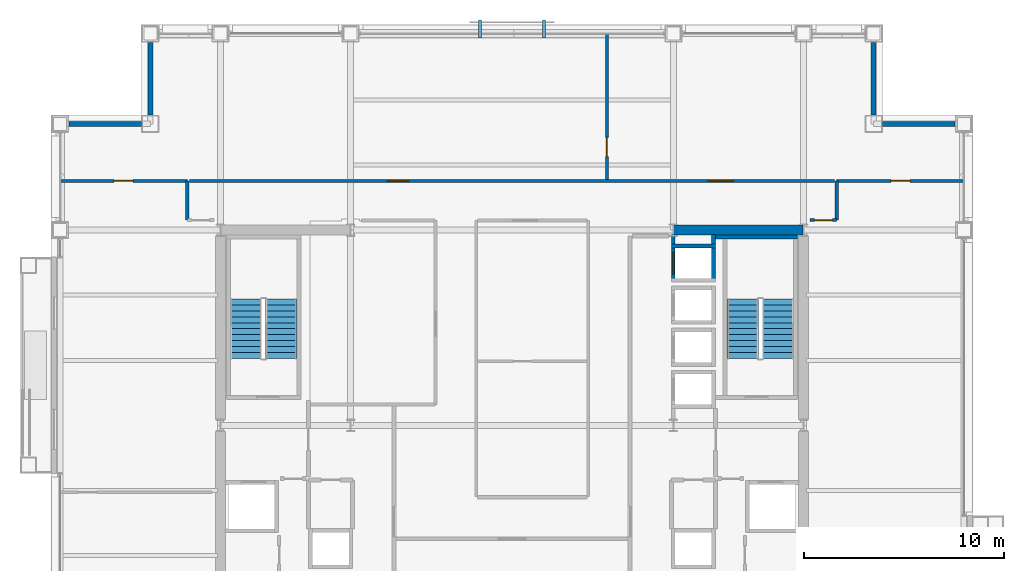
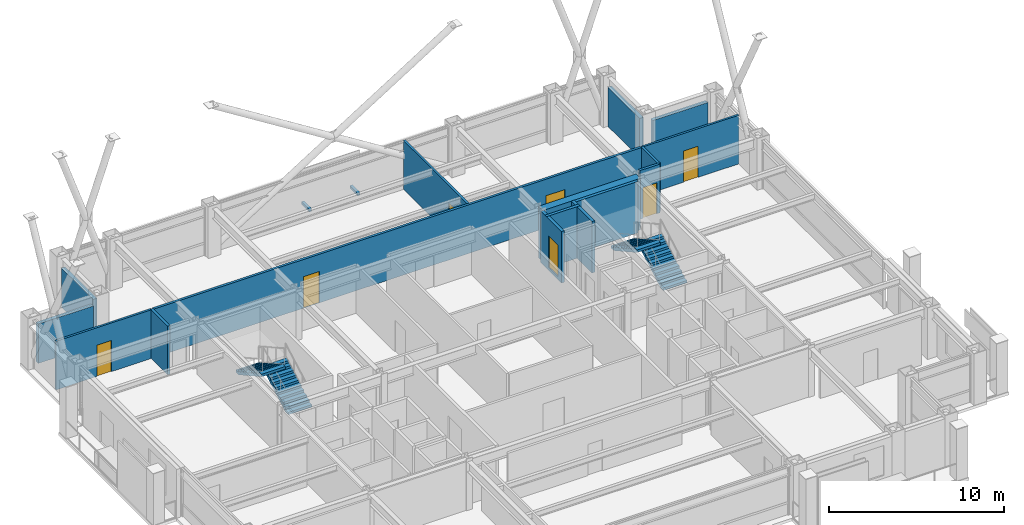
# One storey, part 31 of 34: 16 walls, 7 doors, 4 stair flights, 2 discrete accessories, 7 openings, 2 elements without a shape of their own.
"""IFC4 building model written with IfcOpenShell, lengths in metres."""

from ifc_helpers import new_model, si_unit, direction, frame, frame_2d, origin, origin_2d, place, context, subcontext, project, spatial, polyline, rectangle, outline, extrude, material, layer, layer_set, type_object, element, fill, aggregate, save


model = new_model("IFC4")

# Units and contexts
model_context = context("Model", 3, precision=1e-05, world=origin(), true_north=direction((0.0, 1.0)))
body_context = subcontext(model_context, "Body", "Model", "MODEL_VIEW")
ifc_project = project(units=[si_unit("LENGTHUNIT", "METRE"), si_unit("AREAUNIT", "SQUARE_METRE"), si_unit("VOLUMEUNIT", "CUBIC_METRE"), si_unit("PLANEANGLEUNIT", "RADIAN"), si_unit("MASSUNIT", "GRAM", prefix="KILO")], contexts=[model_context])

# Site, building, storey
site_placement = place(None, origin())
site = spatial("IfcSite", under=ifc_project, at=site_placement, CompositionType="ELEMENT")
building_placement = place(site_placement, origin())
building = spatial("IfcBuilding", under=site, at=building_placement, Name="Brelmoor Portico Tower", CompositionType="ELEMENT")
storey_placement = place(building_placement, frame((0.0, 0.0, 99.0)))
storey = spatial("IfcBuildingStorey", under=building, at=storey_placement, Name="L25", CompositionType="ELEMENT", Elevation=99.0)

# Walls
ifc_material_1 = material(Name="Concrete C60", Category="concrete")
ifc_layer_1 = layer(ifc_material_1, 0.5)
ifc_layer_set_1 = layer_set([ifc_layer_1], Name="Concrete C60")
wall_type_1 = type_object("IfcWallType", Name="WL-CORE-500", PredefinedType="SHEAR", material=ifc_layer_set_1)
wall_1_placement = place(storey_placement, frame((8.070068359375, 9.75, -0.199951171875), z_axis=(0.0, 0.0, 1.0), x_axis=(1.0, 0.0, 0.0)))
element("IfcWall", 1, at=wall_1_placement, inside=storey, type_object=wall_type_1, Name="L25 EC North Shear Wall", PredefinedType="SHEAR", context=body_context, shape_type="SweptSolid", body=[
    extrude(rectangle(XDim=6.4599609375, YDim=0.5, at=frame_2d((3.22998046875, 0.0))), origin(), (0.0, 0.0, 1.0), 3.599853515625),
])
ifc_material_2 = material(Name="Precast Concrete C40 Insulated Facade Wall", Category="concrete")
ifc_layer_2 = layer(ifc_material_2, 0.25)
ifc_layer_set_2 = layer_set([ifc_layer_2], Name="Precast Concrete C40 Insulated Facade Wall")
wall_type_2 = type_object("IfcWallType", Name="WL-EXT-250", PredefinedType="STANDARD", material=ifc_layer_set_2)
for number, where, z_axis, x_axis, name in (
    (2, (-22.114990234375, 15.050048828125, 0.0), (0.0, 0.0, 1.0), (1.0, 0.0, 0.0), "L25 Corner Notch Facade Wall NNWH1"),
    (3, (-18.050048828125, 15.485107421875, 0.0), (0.0, 0.0, 1.0), (0.0, 1.0, 0.0), "L25 Corner Notch Facade Wall NNWV1"),
    (4, (18.485107421875, 15.050048828125, 0.0), (0.0, 0.0, 1.0), (1.0, 0.0, 0.0), "L25 Corner Notch Facade Wall NNEH1"),
    (5, (18.050048828125, 15.485107421875, 0.0), (0.0, 0.0, 1.0), (0.0, 1.0, 0.0), "L25 Corner Notch Facade Wall NNEV1"),
):
    element("IfcWall", number, at=place(storey_placement, frame(where, z_axis=z_axis, x_axis=x_axis)), inside=storey, type_object=wall_type_2, Name=name, PredefinedType="STANDARD", context=body_context, shape_type="SweptSolid", body=[
        extrude(rectangle(XDim=3.6298828125, YDim=0.25, at=frame_2d((1.81494140625, 0.0))), origin(), (0.0, 0.0, 1.0), 2.75),
    ])

# Wall, opening, door
ifc_material_3 = material(Name="Insulated Stud Suite Partition", Category="gypsum")
ifc_layer_3 = layer(ifc_material_3, 0.139892578125)
ifc_layer_set_3 = layer_set([ifc_layer_3], Name="Insulated Stud Suite Partition")
wall_type_3 = type_object("IfcWallType", Name="WL-PART-140", PredefinedType="PARTITIONING", material=ifc_layer_set_3)
wall_2_placement = place(storey_placement, frame((4.73486328125, 12.260009765625, 0.0), z_axis=(0.0, 0.0, 1.0), x_axis=(0.0, 1.0, 0.0)))
wall_2 = element("IfcWall", 6, at=wall_2_placement, inside=storey, type_object=wall_type_3, Name="L25 North Suite Partition 1", PredefinedType="PARTITIONING", context=body_context, shape_type="SweptSolid", body=[
    extrude(rectangle(XDim=7.300048828125, YDim=0.139892578125, at=frame_2d((3.64990234375, 0.0))), origin(), (0.0, 0.0, 1.0), 3.39990234375),
])
opening_1_placement = place(wall_2_placement, frame((1.14990234375, 0.0, 0.0)))
opening_1 = element("IfcOpeningElement", 7, at=opening_1_placement, cuts=wall_2, Name="Opening D-IN2", PredefinedType="OPENING", context=body_context, shape_type="SweptSolid", body=[
    extrude(rectangle(XDim=0.9599609375, YDim=2.179931640625, at=frame_2d((0.47998046875, 1.08984375))), frame((0.0, 0.079833984375, 0.0), z_axis=(0.0, -1.0, 0.0), x_axis=(1.0, 0.0, 0.0)), (0.0, 0.0, 1.0), 0.159912109375),
])
ifc_material_4 = material(Name="Lacquered Timber Suite Door", Category="wood")
door_type_1 = type_object("IfcDoorType", Name="DR-INT-950", OperationType="NOTDEFINED", PredefinedType="DOOR", material=ifc_material_4)
door_1_placement = place(opening_1_placement, origin())
door_1 = element("IfcDoor", 8, at=door_1_placement, inside=storey, type_object=door_type_1, Name="D-1109 L25 North Suite Connecting Door 1", OperationType="SINGLE_SWING_LEFT", OverallHeight=2.179931640625, OverallWidth=0.9599609375, PredefinedType="DOOR", context=body_context, shape_type="SweptSolid", body=[
    extrude(rectangle(XDim=0.9599609375, YDim=2.179931640625, at=frame_2d((0.47998046875, 1.08984375))), frame((0.0, 0.02490234375, 0.0), z_axis=(0.0, -1.0, 0.0), x_axis=(1.0, 0.0, 0.0)), (0.0, 0.0, 1.0), 0.050048828125),
])
fill(opening_1, door_1)

wall_3_placement = place(storey_placement, frame((-22.56005859375, 12.199951171875, 0.0), z_axis=(0.0, 0.0, 1.0), x_axis=(1.0, 0.0, 0.0)))
wall_3 = element("IfcWall", 9, at=wall_3_placement, inside=storey, type_object=wall_type_3, Name="L25 North Wing Closure WL", PredefinedType="PARTITIONING", context=body_context, shape_type="SweptSolid", body=[
    extrude(rectangle(XDim=6.360107421875, YDim=0.139892578125, at=frame_2d((3.18017578125, 0.0))), origin(), (0.0, 0.0, 1.0), 3.39990234375),
])
opening_2_placement = place(wall_3_placement, frame((2.699951171875, 0.0, 0.0)))
opening_2 = element("IfcOpeningElement", 10, at=opening_2_placement, cuts=wall_3, Name="Opening D-IN2", PredefinedType="OPENING", context=body_context, shape_type="SweptSolid", body=[
    extrude(rectangle(XDim=0.9599609375, YDim=2.179931640625, at=frame_2d((0.47998046875, 1.08984375))), frame((0.0, 0.079833984375, 0.0), z_axis=(0.0, -1.0, 0.0), x_axis=(1.0, 0.0, 0.0)), (0.0, 0.0, 1.0), 0.159912109375),
])
door_2_placement = place(opening_2_placement, origin())
door_2 = element("IfcDoor", 11, at=door_2_placement, inside=storey, type_object=door_type_1, Name="D-1111 L25 WL Wing North Suite Door", OperationType="SINGLE_SWING_RIGHT", OverallHeight=2.179931640625, OverallWidth=0.9599609375, PredefinedType="DOOR", context=body_context, shape_type="SweptSolid", body=[
    extrude(rectangle(XDim=0.9599609375, YDim=2.179931640625, at=frame_2d((0.47998046875, 1.08984375))), frame((0.0, 0.02490234375, 0.0), z_axis=(0.0, -1.0, 0.0), x_axis=(1.0, 0.0, 0.0)), (0.0, 0.0, 1.0), 0.050048828125),
])
fill(opening_2, door_2)

wall_4_placement = place(storey_placement, frame((16.199951171875, 12.199951171875, 0.0), z_axis=(0.0, 0.0, 1.0), x_axis=(1.0, 0.0, 0.0)))
wall_4 = element("IfcWall", 12, at=wall_4_placement, inside=storey, type_object=wall_type_3, Name="L25 North Wing Closure ER", PredefinedType="PARTITIONING", context=body_context, shape_type="SweptSolid", body=[
    extrude(rectangle(XDim=6.360107421875, YDim=0.139892578125, at=frame_2d((3.18017578125, 0.0))), origin(), (0.0, 0.0, 1.0), 3.39990234375),
])
opening_3_placement = place(wall_4_placement, frame((2.699951171875, 0.0, 0.0)))
opening_3 = element("IfcOpeningElement", 13, at=opening_3_placement, cuts=wall_4, Name="Opening D-IN2", PredefinedType="OPENING", context=body_context, shape_type="SweptSolid", body=[
    extrude(rectangle(XDim=0.9599609375, YDim=2.179931640625, at=frame_2d((0.47998046875, 1.08984375))), frame((0.0, 0.079833984375, 0.0), z_axis=(0.0, -1.0, 0.0), x_axis=(1.0, 0.0, 0.0)), (0.0, 0.0, 1.0), 0.159912109375),
])
door_3_placement = place(opening_3_placement, origin())
door_3 = element("IfcDoor", 14, at=door_3_placement, inside=storey, type_object=door_type_1, Name="D-1110 L25 ER Wing North Suite Door", OperationType="SINGLE_SWING_LEFT", OverallHeight=2.179931640625, OverallWidth=0.9599609375, PredefinedType="DOOR", context=body_context, shape_type="SweptSolid", body=[
    extrude(rectangle(XDim=0.9599609375, YDim=2.179931640625, at=frame_2d((0.47998046875, 1.08984375))), frame((0.0, 0.02490234375, 0.0), z_axis=(0.0, -1.0, 0.0), x_axis=(1.0, 0.0, 0.0)), (0.0, 0.0, 1.0), 0.050048828125),
])
fill(opening_3, door_3)

# Wall, openings, doors
ifc_material_5 = material(Name="Twin-Frame Acoustic Partition", Category="gypsum")
ifc_layer_4 = layer(ifc_material_5, 0.159912109375)
ifc_layer_set_4 = layer_set([ifc_layer_4], Name="Twin-Frame Acoustic Partition")
wall_type_4 = type_object("IfcWallType", Name="WL-PART-160", PredefinedType="PARTITIONING", material=ifc_layer_set_4)
wall_5_placement = place(storey_placement, frame((-16.10009765625, 12.199951171875, 0.0), z_axis=(0.0, 0.0, 1.0), x_axis=(1.0, 0.0, 0.0)))
wall_5 = element("IfcWall", 15, at=wall_5_placement, inside=storey, type_object=wall_type_4, Name="L25 North Corridor Partition", PredefinedType="PARTITIONING", context=body_context, shape_type="SweptSolid", body=[
    extrude(rectangle(XDim=32.2001953125, YDim=0.159912109375, at=frame_2d((16.10009765625, 0.0))), origin(), (0.0, 0.0, 1.0), 3.39990234375),
])
opening_4_placement = place(wall_5_placement, frame((9.887451171875, 0.0, 0.0)))
opening_4 = element("IfcOpeningElement", 16, at=opening_4_placement, cuts=wall_5, Name="Opening D-OF2", PredefinedType="OPENING", context=body_context, shape_type="SweptSolid", body=[
    extrude(rectangle(XDim=1.06005859375, YDim=2.199951171875, at=frame_2d((0.530029296875, 1.10009765625))), frame((0.0, 0.08984375, 0.0), z_axis=(0.0, -1.0, 0.0), x_axis=(1.0, 0.0, 0.0)), (0.0, 0.0, 1.0), 0.179931640625),
])
opening_5_placement = place(wall_5_placement, frame((25.8974609375, 0.0, 0.0)))
opening_5 = element("IfcOpeningElement", 17, at=opening_5_placement, cuts=wall_5, Name="Opening D-SU1", PredefinedType="OPENING", context=body_context, shape_type="SweptSolid", body=[
    extrude(rectangle(XDim=1.239990234375, YDim=2.239990234375, at=frame_2d((0.6201171875, 1.1201171875))), frame((0.0, 0.08984375, 0.0), z_axis=(0.0, -1.0, 0.0), x_axis=(1.0, 0.0, 0.0)), (0.0, 0.0, 1.0), 0.179931640625),
])
ifc_material_6 = material(Name="Hardwood Acoustic Veneer Door", Category="wood")
door_type_2 = type_object("IfcDoorType", Name="DR-OFFICE-1050", OperationType="NOTDEFINED", PredefinedType="DOOR", material=ifc_material_6)
door_4_placement = place(opening_4_placement, origin())
door_4 = element("IfcDoor", 18, at=door_4_placement, inside=storey, type_object=door_type_2, Name="D-1107 L25 North Open-Plan Office 1 Door", OperationType="SINGLE_SWING_RIGHT", OverallHeight=2.199951171875, OverallWidth=1.06005859375, PredefinedType="DOOR", context=body_context, shape_type="SweptSolid", body=[
    extrude(rectangle(XDim=1.06005859375, YDim=2.199951171875, at=frame_2d((0.530029296875, 1.10009765625))), frame((0.0, 0.02490234375, 0.0), z_axis=(0.0, -1.0, 0.0), x_axis=(1.0, 0.0, 0.0)), (0.0, 0.0, 1.0), 0.050048828125),
])
fill(opening_4, door_4)
ifc_material_7 = material(Name="Glazed Timber Executive Suite Door", Category="wood")
door_type_3 = type_object("IfcDoorType", Name="DR-SUITE-1200", OperationType="NOTDEFINED", PredefinedType="DOOR", material=ifc_material_7)
door_5_placement = place(opening_5_placement, origin())
door_5 = element("IfcDoor", 19, at=door_5_placement, inside=storey, type_object=door_type_3, Name="D-1108 L25 North First-Aid Medical Room 2 Door", OperationType="SINGLE_SWING_LEFT", OverallHeight=2.239990234375, OverallWidth=1.239990234375, PredefinedType="DOOR", context=body_context, shape_type="SweptSolid", body=[
    extrude(rectangle(XDim=1.239990234375, YDim=2.239990234375, at=frame_2d((0.6201171875, 1.1201171875))), frame((0.0, 0.02490234375, 0.0), z_axis=(0.0, -1.0, 0.0), x_axis=(1.0, 0.0, 0.0)), (0.0, 0.0, 1.0), 0.050048828125),
])
fill(opening_5, door_5)

# Wall
wall_6_placement = place(storey_placement, frame((-16.199951171875, 10.25, 0.0), z_axis=(0.0, 0.0, 1.0), x_axis=(0.0, 1.0, 0.0)))
element("IfcWall", 20, at=wall_6_placement, inside=storey, type_object=wall_type_4, Name="L25 W Corridor End Closure", PredefinedType="PARTITIONING", context=body_context, shape_type="SweptSolid", body=[
    extrude(rectangle(XDim=1.949951171875, YDim=0.159912109375, at=frame_2d((0.97509765625, 0.0))), origin(), (0.0, 0.0, 1.0), 3.39990234375),
])

# Wall, opening, door
wall_7_placement = place(storey_placement, frame((14.8798828125, 10.25, 0.0), z_axis=(0.0, 0.0, 1.0), x_axis=(1.0, 0.0, 0.0)))
wall_7 = element("IfcWall", 21, at=wall_7_placement, inside=storey, type_object=wall_type_4, Name="L25 E Wing North Entry Wall", PredefinedType="PARTITIONING", context=body_context, shape_type="SweptSolid", body=[
    extrude(rectangle(XDim=1.320068359375, YDim=0.159912109375, at=frame_2d((0.66015625, 0.0))), origin(), (0.0, 0.0, 1.0), 3.39990234375),
])
opening_6_placement = place(wall_7_placement, frame((0.2099609375, 0.0, 0.0)))
opening_6 = element("IfcOpeningElement", 22, at=opening_6_placement, cuts=wall_7, Name="Opening D-IN1", PredefinedType="OPENING", context=body_context, shape_type="SweptSolid", body=[
    extrude(rectangle(XDim=0.89990234375, YDim=2.14990234375, at=frame_2d((0.449951171875, 1.074951171875))), frame((0.0, 0.08984375, 0.0), z_axis=(0.0, -1.0, 0.0), x_axis=(1.0, 0.0, 0.0)), (0.0, 0.0, 1.0), 0.179931640625),
])
door_type_4 = type_object("IfcDoorType", Name="DR-INT-900", OperationType="NOTDEFINED", PredefinedType="DOOR", material=ifc_material_4)
door_6_placement = place(opening_6_placement, origin())
door_6 = element("IfcDoor", 23, at=door_6_placement, inside=storey, type_object=door_type_4, Name="D-1123 L25 E Wing Entry Door", OperationType="SINGLE_SWING_LEFT", OverallHeight=2.14990234375, OverallWidth=0.89990234375, PredefinedType="DOOR", context=body_context, shape_type="SweptSolid", body=[
    extrude(rectangle(XDim=0.89990234375, YDim=2.14990234375, at=frame_2d((0.449951171875, 1.074951171875))), frame((0.0, 0.02490234375, 0.0), z_axis=(0.0, -1.0, 0.0), x_axis=(1.0, 0.0, 0.0)), (0.0, 0.0, 1.0), 0.050048828125),
])
fill(opening_6, door_6)

# Wall
wall_8_placement = place(storey_placement, frame((16.199951171875, 10.25, 0.0), z_axis=(0.0, 0.0, 1.0), x_axis=(0.0, 1.0, 0.0)))
element("IfcWall", 24, at=wall_8_placement, inside=storey, type_object=wall_type_4, Name="L25 E Corridor End Closure", PredefinedType="PARTITIONING", context=body_context, shape_type="SweptSolid", body=[
    extrude(rectangle(XDim=1.949951171875, YDim=0.159912109375, at=frame_2d((0.97509765625, 0.0))), origin(), (0.0, 0.0, 1.0), 3.39990234375),
])

# Wall, opening, door
ifc_material_8 = material(Name="Precast Concrete C40", Category="concrete")
ifc_layer_5 = layer(ifc_material_8, 0.18994140625)
ifc_layer_set_5 = layer_set([ifc_layer_5], Name="Precast Concrete C40")
wall_type_5 = type_object("IfcWallType", Name="WL-SHAFT-180", PredefinedType="SOLIDWALL", material=ifc_layer_set_5)
wall_9_placement = place(storey_placement, frame((8.044921875, 7.14990234375, -0.199951171875), z_axis=(0.0, 0.0, 1.0), x_axis=(0.0, 1.0, 0.0)))
wall_9 = element("IfcWall", 25, at=wall_9_placement, inside=storey, type_object=wall_type_5, Name="L25 Lift PM4 Hoistway Front Wall", PredefinedType="SOLIDWALL", context=body_context, shape_type="SweptSolid", body=[
    extrude(rectangle(XDim=2.3701171875, YDim=0.18994140625, at=frame_2d((1.18505859375, 0.0))), origin(), (0.0, 0.0, 1.0), 3.599853515625),
])
opening_7_placement = place(wall_9_placement, frame((0.39990234375, 0.0, 0.199951171875)))
opening_7 = element("IfcOpeningElement", 26, at=opening_7_placement, cuts=wall_9, Name="Opening LD-01", PredefinedType="OPENING", context=body_context, shape_type="SweptSolid", body=[
    extrude(rectangle(XDim=1.10009765625, YDim=2.199951171875, at=frame_2d((0.550048828125, 1.10009765625))), frame((0.0, 0.10498046875, 0.0), z_axis=(0.0, -1.0, 0.0), x_axis=(1.0, 0.0, 0.0)), (0.0, 0.0, 1.0), 0.2099609375),
])
ifc_material_9 = material(Name="Brushed Stainless Steel Sliding Lift Door", Category="steel")
door_type_5 = type_object("IfcDoorType", Name="DR-LIFT-1100", OperationType="NOTDEFINED", PredefinedType="DOOR", material=ifc_material_9)
door_7_placement = place(opening_7_placement, origin())
door_7 = element("IfcDoor", 27, at=door_7_placement, inside=storey, type_object=door_type_5, Name="D-1131 L25 Lift PM4 Sliding Landing Door", OperationType="SLIDING_TO_LEFT", OverallHeight=2.199951171875, OverallWidth=1.10009765625, PredefinedType="DOOR", context=body_context, shape_type="SweptSolid", body=[
    extrude(rectangle(XDim=1.10009765625, YDim=2.199951171875, at=frame_2d((0.550048828125, 1.10009765625))), frame((0.0, 0.02490234375, 0.0), z_axis=(0.0, -1.0, 0.0), x_axis=(1.0, 0.0, 0.0)), (0.0, 0.0, 1.0), 0.050048828125),
])
fill(opening_7, door_7)

# Walls
wall_10_placement = place(storey_placement, frame((10.054931640625, 7.14990234375, -0.199951171875), z_axis=(0.0, 0.0, 1.0), x_axis=(0.0, 1.0, 0.0)))
element("IfcWall", 28, at=wall_10_placement, inside=storey, type_object=wall_type_5, Name="L25 Lift PM4 Hoistway Back Wall", PredefinedType="SOLIDWALL", context=body_context, shape_type="SweptSolid", body=[
    extrude(rectangle(XDim=2.3701171875, YDim=0.18994140625, at=frame_2d((1.18505859375, 0.0))), origin(), (0.0, 0.0, 1.0), 3.599853515625),
])
wall_11_placement = place(storey_placement, frame((7.949951171875, 8.955078125, -0.199951171875), z_axis=(0.0, 0.0, 1.0), x_axis=(1.0, 0.0, 0.0)))
element("IfcWall", 29, at=wall_11_placement, inside=storey, type_object=wall_type_5, Name="L25 Lift PM4 Hoistway North Wall", PredefinedType="SOLIDWALL", context=body_context, shape_type="SweptSolid", body=[
    extrude(rectangle(XDim=2.199951171875, YDim=0.18994140625, at=frame_2d((1.10009765625, 0.0))), origin(), (0.0, 0.0, 1.0), 3.599853515625),
])
ifc_material_10 = material(Name="Concrete C40", Category="concrete")
ifc_layer_6 = layer(ifc_material_10, 0.199951171875)
ifc_layer_set_6 = layer_set([ifc_layer_6], Name="Concrete C40")
wall_type_6 = type_object("IfcWallType", Name="WL-SHAFT-RC200", PredefinedType="SOLIDWALL", material=ifc_layer_set_6)
wall_12_placement = place(storey_placement, frame((10.14990234375, 9.39990234375, -0.199951171875), z_axis=(0.0, 0.0, 1.0), x_axis=(1.0, 0.0, 0.0)))
element("IfcWall", 30, at=wall_12_placement, inside=storey, type_object=wall_type_6, Name="L25 ST-E Structural Stair Wall N", PredefinedType="SOLIDWALL", context=body_context, shape_type="SweptSolid", body=[
    extrude(rectangle(XDim=4.10009765625, YDim=0.199951171875, at=frame_2d((2.050048828125, 0.0))), origin(), (0.0, 0.0, 1.0), 3.599853515625),
])

# Stair, stair flights
stair_type_1 = type_object("IfcStairType", Name="ST-CORE-W", PredefinedType="HALF_TURN_STAIR", material=ifc_material_10)
stair_1_placement = place(storey_placement, origin())
stair_1 = element("IfcStair", 31, at=stair_1_placement, inside=storey, type_object=stair_type_1, Name="L25 Protected Core Exit Stair ST-W", PredefinedType="HALF_TURN_STAIR")
stair_flight_type = type_object("IfcStairFlightType", Name="SF-CORE-1850", PredefinedType="STRAIGHT", material=ifc_material_10)
stair_flight_1_placement = place(storey_placement, frame((-11.510009765625, 3.35009765625, 0.0), z_axis=(0.0, 0.0, 1.0), x_axis=(0.0, 1.0, 0.0)))
stair_flight_1 = element("IfcStairFlight", 32, at=stair_flight_1_placement, type_object=stair_flight_type, Name="ST-W flight 1", NumberOfRisers=11, NumberOfTreads=10, PredefinedType="STRAIGHT", RiserHeight=0.163636364, TreadLength=0.295, context=body_context, shape_type="SweptSolid", body=[
    extrude(outline(polyline([(0.0, 0.0), (0.0, 0.16357421875), (0.294921875, 0.16357421875), (0.294921875, 0.327392578125), (0.590087890625, 0.327392578125), (0.590087890625, 0.490966796875), (0.885009765625, 0.490966796875), (0.885009765625, 0.654541015625), (1.179931640625, 0.654541015625), (1.179931640625, 0.818115234375), (1.47509765625, 0.818115234375), (1.47509765625, 0.98193359375), (1.77001953125, 0.98193359375), (1.77001953125, 1.1455078125), (2.06494140625, 1.1455078125), (2.06494140625, 1.30908203125), (2.360107421875, 1.30908203125), (2.360107421875, 1.47265625), (2.655029296875, 1.47265625), (2.655029296875, 1.636474609375), (2.949951171875, 1.636474609375), (2.949951171875, 1.800048828125), (2.949951171875, 1.46484375), (0.30908203125, 0.0), (0.0, 0.0)])), frame((0.0, 0.780029296875, 0.0), z_axis=(0.0, -1.0, 0.0), x_axis=(1.0, 0.0, 0.0)), (0.0, 0.0, 1.0), 1.56005859375),
])
stair_flight_2_placement = place(storey_placement, frame((-13.27001953125, 6.300048828125, 1.800048828125), z_axis=(0.0, 0.0, 1.0), x_axis=(0.0, -1.0, 0.0)))
stair_flight_2 = element("IfcStairFlight", 33, at=stair_flight_2_placement, type_object=stair_flight_type, Name="ST-W flight 2", NumberOfRisers=11, NumberOfTreads=10, PredefinedType="STRAIGHT", RiserHeight=0.163636364, TreadLength=0.295, context=body_context, shape_type="SweptSolid", body=[
    extrude(outline(polyline([(0.0, 0.0), (0.0, 0.16357421875), (0.294921875, 0.16357421875), (0.294921875, 0.327392578125), (0.590087890625, 0.327392578125), (0.590087890625, 0.490966796875), (0.885009765625, 0.490966796875), (0.885009765625, 0.654541015625), (1.179931640625, 0.654541015625), (1.179931640625, 0.818115234375), (1.47509765625, 0.818115234375), (1.47509765625, 0.98193359375), (1.77001953125, 0.98193359375), (1.77001953125, 1.1455078125), (2.06494140625, 1.1455078125), (2.06494140625, 1.30908203125), (2.360107421875, 1.30908203125), (2.360107421875, 1.47265625), (2.655029296875, 1.47265625), (2.655029296875, 1.636474609375), (2.949951171875, 1.636474609375), (2.949951171875, 1.800048828125), (2.949951171875, 1.46484375), (0.30908203125, 0.0), (0.0, 0.0)])), frame((0.0, 0.780029296875, 0.0), z_axis=(0.0, -1.0, 0.0), x_axis=(1.0, 0.0, 0.0)), (0.0, 0.0, 1.0), 1.56005859375),
])
aggregate(stair_1, [stair_flight_1, stair_flight_2])

stair_type_2 = type_object("IfcStairType", Name="ST-CORE-E", PredefinedType="HALF_TURN_STAIR", material=ifc_material_10)
stair_2_placement = place(storey_placement, origin())
stair_2 = element("IfcStair", 34, at=stair_2_placement, inside=storey, type_object=stair_type_2, Name="L25 Protected Core Exit Stair ST-E", PredefinedType="HALF_TURN_STAIR")
stair_flight_3_placement = place(storey_placement, frame((13.27001953125, 3.35009765625, 0.0), z_axis=(0.0, 0.0, 1.0), x_axis=(0.0, 1.0, 0.0)))
stair_flight_3 = element("IfcStairFlight", 35, at=stair_flight_3_placement, type_object=stair_flight_type, Name="ST-E flight 1", NumberOfRisers=11, NumberOfTreads=10, PredefinedType="STRAIGHT", RiserHeight=0.163636364, TreadLength=0.295, context=body_context, shape_type="SweptSolid", body=[
    extrude(outline(polyline([(0.0, 0.0), (0.0, 0.16357421875), (0.294921875, 0.16357421875), (0.294921875, 0.327392578125), (0.590087890625, 0.327392578125), (0.590087890625, 0.490966796875), (0.885009765625, 0.490966796875), (0.885009765625, 0.654541015625), (1.179931640625, 0.654541015625), (1.179931640625, 0.818115234375), (1.47509765625, 0.818115234375), (1.47509765625, 0.98193359375), (1.77001953125, 0.98193359375), (1.77001953125, 1.1455078125), (2.06494140625, 1.1455078125), (2.06494140625, 1.30908203125), (2.360107421875, 1.30908203125), (2.360107421875, 1.47265625), (2.655029296875, 1.47265625), (2.655029296875, 1.636474609375), (2.949951171875, 1.636474609375), (2.949951171875, 1.800048828125), (2.949951171875, 1.46484375), (0.30908203125, 0.0), (0.0, 0.0)])), frame((0.0, 0.780029296875, 0.0), z_axis=(0.0, -1.0, 0.0), x_axis=(1.0, 0.0, 0.0)), (0.0, 0.0, 1.0), 1.56005859375),
])
stair_flight_4_placement = place(storey_placement, frame((11.510009765625, 6.300048828125, 1.800048828125), z_axis=(0.0, 0.0, 1.0), x_axis=(0.0, -1.0, 0.0)))
stair_flight_4 = element("IfcStairFlight", 36, at=stair_flight_4_placement, type_object=stair_flight_type, Name="ST-E flight 2", NumberOfRisers=11, NumberOfTreads=10, PredefinedType="STRAIGHT", RiserHeight=0.163636364, TreadLength=0.295, context=body_context, shape_type="SweptSolid", body=[
    extrude(outline(polyline([(0.0, 0.0), (0.0, 0.16357421875), (0.294921875, 0.16357421875), (0.294921875, 0.327392578125), (0.590087890625, 0.327392578125), (0.590087890625, 0.490966796875), (0.885009765625, 0.490966796875), (0.885009765625, 0.654541015625), (1.179931640625, 0.654541015625), (1.179931640625, 0.818115234375), (1.47509765625, 0.818115234375), (1.47509765625, 0.98193359375), (1.77001953125, 0.98193359375), (1.77001953125, 1.1455078125), (2.06494140625, 1.1455078125), (2.06494140625, 1.30908203125), (2.360107421875, 1.30908203125), (2.360107421875, 1.47265625), (2.655029296875, 1.47265625), (2.655029296875, 1.636474609375), (2.949951171875, 1.636474609375), (2.949951171875, 1.800048828125), (2.949951171875, 1.46484375), (0.30908203125, 0.0), (0.0, 0.0)])), frame((0.0, 0.780029296875, 0.0), z_axis=(0.0, -1.0, 0.0), x_axis=(1.0, 0.0, 0.0)), (0.0, 0.0, 1.0), 1.56005859375),
])
aggregate(stair_2, [stair_flight_3, stair_flight_4])

# Discrete accessories
ifc_material_11 = material(Name="Galvanised Steel Q355B", Category="steel")
discrete_accessory_type = type_object("IfcDiscreteAccessoryType", Name="DA-SCREEN-BRACKET", PredefinedType="BRACKET", material=ifc_material_11)
for number, where, z_axis, x_axis, name in (
    (37, (-1.60009765625, 19.780029296875, 0.76025390625), (0.0, 0.0, 1.0), (1.0, 0.0, 0.0), "L25 Solar Screen Bracket N1A"),
    (38, (1.60009765625, 19.780029296875, 0.76025390625), (0.0, 0.0, 1.0), (1.0, 0.0, 0.0), "L25 Solar Screen Bracket N1B"),
):
    element("IfcDiscreteAccessory", number, at=place(storey_placement, frame(where, z_axis=z_axis, x_axis=x_axis)), inside=storey, type_object=discrete_accessory_type, Name=name, PredefinedType="BRACKET", context=body_context, shape_type="SweptSolid", body=[
        extrude(rectangle(XDim=0.159912109375, YDim=0.89990234375, at=origin_2d()), origin(), (0.0, 0.0, 1.0), 0.179931640625),
    ])

save(model, "model.ifc")
